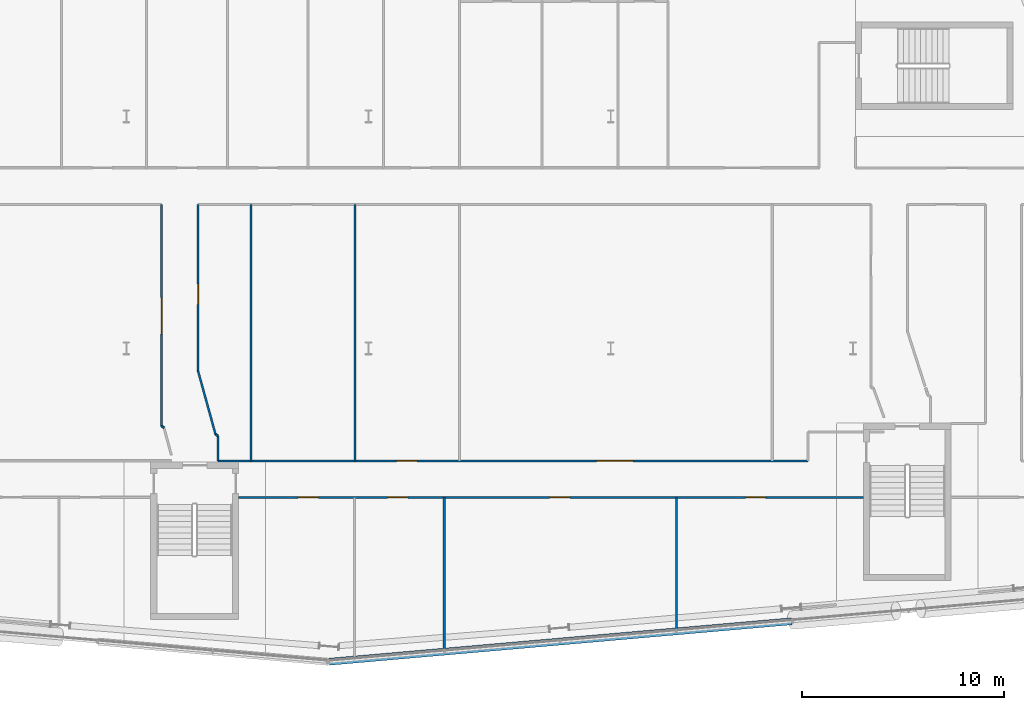
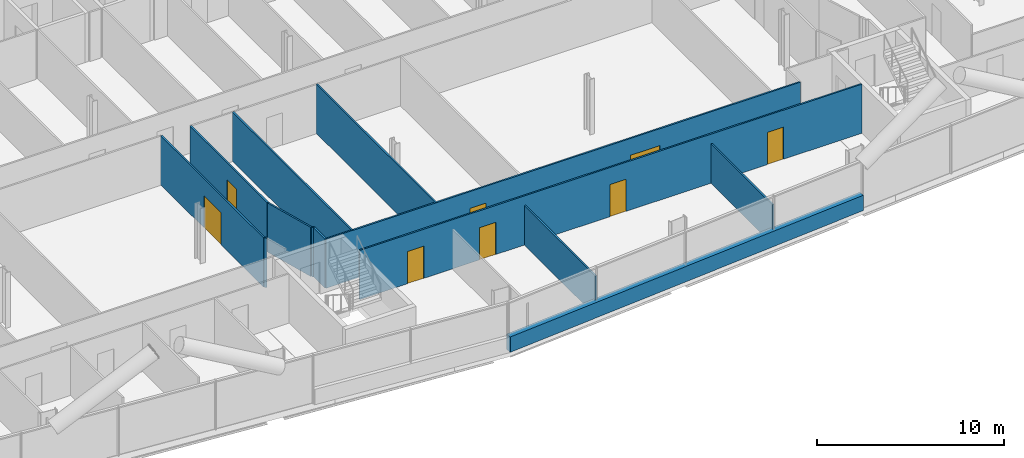
# One storey, part 15 of 28: 13 walls, 8 doors, 8 openings.
"""IFC4 building model written with IfcOpenShell, lengths in metres."""

import ifcopenshell
import ifcopenshell.guid

model = None  # the IFC model being written
_history = None  # IfcOwnerHistory: only IFC2X3 demands one
_inside = {}  # id of a spatial element -> (the spatial element, [elements in it])
_under = {}  # id of a project, library or spatial element -> (it, [spatial elements below it])
_declared = {}  # id of a project -> (the project, [libraries it declares])
_typed = {}  # id of a type object -> (the type object, [elements of that type])
_made_of = {}  # id of a material, layer set ... -> (it, [elements and type objects made of it])


def new_model(schema):
    """Start an empty IFC model of exactly this schema.

    Asked for "IFC4X3", IfcOpenShell would pick the latest addendum, in which some entities
    have other attributes; the version numbers below select the first issue.
    IFC2X3 requires an IfcOwnerHistory on every rooted entity: one is made here for all.
    """
    global model, _history
    if schema == "IFC4X3":
        model = ifcopenshell.file(schema_version=(4, 3, 0, 0))
    else:
        model = ifcopenshell.file(schema=schema)
    _inside.clear()
    _under.clear()
    _declared.clear()
    _typed.clear()
    _made_of.clear()
    _history = None
    if model.schema == "IFC2X3":
        org = make("IfcOrganization", Name="unknown")
        user = make(
            "IfcPersonAndOrganization",
            ThePerson=make("IfcPerson", FamilyName="unknown"),
            TheOrganization=org,
        )
        app = make(
            "IfcApplication",
            ApplicationDeveloper=org,
            Version="unknown",
            ApplicationFullName="unknown",
            ApplicationIdentifier="unknown",
        )
        _history = make(
            "IfcOwnerHistory",
            OwningUser=user,
            OwningApplication=app,
            ChangeAction="ADDED",
            CreationDate=0,
        )
    return model


def make(cls, **values):
    """One entity of the class cls with the attributes given. An attribute that is None is left unset."""
    return model.create_entity(
        cls, **{name: value for name, value in values.items() if value is not None}
    )


def rooted(cls, **values):
    """An entity with a GlobalId (a new one), such as an element, a storey or a relation."""
    return make(cls, GlobalId=ifcopenshell.guid.new(), OwnerHistory=_history, **values)


def si_unit(unit_type, name, prefix=None):
    """IfcSIUnit, for example si_unit("LENGTHUNIT", "METRE", prefix="MILLI")."""
    return make("IfcSIUnit", UnitType=unit_type, Prefix=prefix, Name=name)


def assignment(units):
    """IfcUnitAssignment: the units of a project."""
    return None if units is None else make("IfcUnitAssignment", Units=units)


def point(xyz):
    """IfcCartesianPoint."""
    return None if xyz is None else make("IfcCartesianPoint", Coordinates=xyz)


def direction(xyz):
    """IfcDirection."""
    return None if xyz is None else make("IfcDirection", DirectionRatios=xyz)


def frame(location, z_axis=None, x_axis=None):
    """IfcAxis2Placement3D, a coordinate frame: its origin and axes. An axis left out is left unset."""
    return make(
        "IfcAxis2Placement3D",
        Location=point(location),
        Axis=direction(z_axis),
        RefDirection=direction(x_axis),
    )


def frame_2d(location, x_axis=None):
    """IfcAxis2Placement2D, a coordinate frame in the plane: its origin and x axis."""
    return make(
        "IfcAxis2Placement2D", Location=point(location), RefDirection=direction(x_axis)
    )


def origin():
    """The frame at (0, 0, 0) with its axes left unset."""
    return frame((0.0, 0.0, 0.0))


def place(relative_to, where):
    """IfcLocalPlacement: puts the frame where relative to a parent placement (None: the world)."""
    return make(
        "IfcLocalPlacement", PlacementRelTo=relative_to, RelativePlacement=where
    )


def context(
    kind, dimensions, precision=None, world=None, true_north=None, identifier=None
):
    """IfcGeometricRepresentationContext, for example the 3D "Model" context."""
    return make(
        "IfcGeometricRepresentationContext",
        ContextIdentifier=identifier,
        ContextType=kind,
        CoordinateSpaceDimension=dimensions,
        Precision=precision,
        WorldCoordinateSystem=world,
        TrueNorth=true_north,
    )


def subcontext(parent, identifier, kind, view, scale=None):
    """IfcGeometricRepresentationSubContext, for example "Body" below "Model"."""
    return make(
        "IfcGeometricRepresentationSubContext",
        ContextIdentifier=identifier,
        ContextType=kind,
        ParentContext=parent,
        TargetScale=scale,
        TargetView=view,
    )


def project(units=None, contexts=None):
    """IfcProject with its units and contexts."""
    return rooted(
        "IfcProject",
        Name="project",
        RepresentationContexts=contexts,
        UnitsInContext=assignment(units),
    )


def spatial(cls, under=None, at=None, **own):
    """A site, building, storey or space (cls), placed at a placement, below another one or the project."""
    s = rooted(cls, ObjectPlacement=at, **own)
    if under is not None:
        _under.setdefault(under.id(), (under, []))[1].append(s)
    return s


def profile(cls, at=None, kind="AREA", **sizes):
    """A parametric profile (cls). Its sizes go by their IFC names, for example OverallWidth=200.0."""
    return make(cls, ProfileType=kind, Position=at, **sizes)


def rectangle(**sizes):
    """IfcRectangleProfileDef."""
    return profile("IfcRectangleProfileDef", **sizes)


def extrude(swept, where, along, depth):
    """IfcExtrudedAreaSolid: the profile swept, set in the frame where, extruded along a direction by depth."""
    return make(
        "IfcExtrudedAreaSolid",
        SweptArea=swept,
        Position=where,
        ExtrudedDirection=direction(along),
        Depth=depth,
    )


def shape(context_of_items, identifier, shape_type, items):
    """IfcShapeRepresentation: the items that make up one representation, for example the "Body"."""
    return make(
        "IfcShapeRepresentation",
        ContextOfItems=context_of_items,
        RepresentationIdentifier=identifier,
        RepresentationType=shape_type,
        Items=items,
    )


def material(Name=None, Category=None):
    """IfcMaterial."""
    return make("IfcMaterial", Name=Name, Category=Category)


def layer(
    of_material, thickness, ventilated=None, Name=None, Category=None, Priority=None
):
    """IfcMaterialLayer: one layer of a wall or slab, of a material (None: an air gap)."""
    return make(
        "IfcMaterialLayer",
        Material=of_material,
        LayerThickness=thickness,
        IsVentilated=ventilated,
        Name=Name,
        Category=Category,
        Priority=Priority,
    )


def layer_set(layers, Name=None):
    """IfcMaterialLayerSet."""
    return make("IfcMaterialLayerSet", MaterialLayers=layers, LayerSetName=Name)


def made_of(thing, what):
    """Note that an element or type object is made of a material, layer set ...; save() writes the relation."""
    if what is not None:
        _made_of.setdefault(what.id(), (what, []))[1].append(thing)
    return thing


def type_object(cls, material=None, **own):
    """A type object (cls), such as IfcWallType, which elements share."""
    return made_of(rooted(cls, **own), material)


def element(
    cls,
    number,
    at=None,
    inside=None,
    cuts=None,
    type_object=None,
    material=None,
    context=None,
    identifier="Body",
    shape_type=None,
    held_by="IfcProductDefinitionShape",
    body=None,
    shapes=None,
    **own,
):
    """One element of the class cls, such as IfcWall. Its Tag is "e" and its number.

    at: its placement. inside: the storey or other place that contains it. cuts: it is an
    opening in that element (IfcRelVoidsElement). A single representation is given by context,
    identifier, shape_type and body (its items); several are given by shapes. held_by: the class
    of the entity that holds the representations. save() writes the other relations.
    """
    e = rooted(cls, Tag="e%d" % number, ObjectPlacement=at, **own)
    if body is not None:
        shapes = [shape(context, identifier, shape_type, body)]
    if shapes is not None:
        e.Representation = make(held_by, Representations=shapes)
    if inside is not None:
        _inside.setdefault(inside.id(), (inside, []))[1].append(e)
    if cuts is not None:
        rooted(
            "IfcRelVoidsElement", RelatingBuildingElement=cuts, RelatedOpeningElement=e
        )
    if type_object is not None:
        _typed.setdefault(type_object.id(), (type_object, []))[1].append(e)
    return made_of(e, material)


def fill(opening, filler):
    """IfcRelFillsElement: the door or window that sits in an opening."""
    return rooted(
        "IfcRelFillsElement",
        RelatingOpeningElement=opening,
        RelatedBuildingElement=filler,
    )


def aggregate(whole, parts):
    """IfcRelAggregates: a whole, such as a stair, and the parts it consists of."""
    return rooted("IfcRelAggregates", RelatingObject=whole, RelatedObjects=parts)


def save(model, path):
    """Write the relations noted so far, then the file.

    IfcRelAggregates (storeys below a building ...), IfcRelContainedInSpatialStructure (elements
    in a storey), IfcRelDefinesByType, IfcRelAssociatesMaterial and IfcRelDeclares: one each for
    every whole, place, type object, material and project.
    """
    for whole, parts in _under.values():
        aggregate(whole, parts)
    for where, things in _inside.values():
        rooted(
            "IfcRelContainedInSpatialStructure",
            RelatedElements=things,
            RelatingStructure=where,
        )
    for kind, things in _typed.values():
        rooted("IfcRelDefinesByType", RelatedObjects=things, RelatingType=kind)
    for what, things in _made_of.values():
        rooted("IfcRelAssociatesMaterial", RelatedObjects=things, RelatingMaterial=what)
    for by, libraries in _declared.values():
        rooted("IfcRelDeclares", RelatingContext=by, RelatedDefinitions=libraries)
    model.write(path)


model = new_model("IFC4")

# Units and contexts
model_context = context("Model", 3, precision=1e-05, world=origin(), true_north=direction((0.0, 1.0)))
body_context = subcontext(model_context, "Body", "Model", "MODEL_VIEW")
ifc_project = project(units=[si_unit("LENGTHUNIT", "METRE"), si_unit("AREAUNIT", "SQUARE_METRE"), si_unit("VOLUMEUNIT", "CUBIC_METRE"), si_unit("PLANEANGLEUNIT", "RADIAN"), si_unit("MASSUNIT", "GRAM", prefix="KILO")], contexts=[model_context])

# Site, building, storey
site_placement = place(None, origin())
site = spatial("IfcSite", under=ifc_project, at=site_placement, CompositionType="ELEMENT")
building_placement = place(site_placement, origin())
building = spatial("IfcBuilding", under=site, at=building_placement, Name="Wharfspan Tower", CompositionType="ELEMENT")
storey_placement = place(building_placement, frame((0.0, 0.0, 52.300049)))
storey = spatial("IfcBuildingStorey", under=building, at=storey_placement, Name="L09", CompositionType="ELEMENT", Elevation=52.300049)

# Wall, opening, door
ifc_material_1 = material(Name="Gypsum board on steel studs", Category="steel")
ifc_layer_1 = layer(ifc_material_1, 0.100098)
ifc_layer_set_1 = layer_set([ifc_layer_1], Name="Gypsum board on steel studs")
wall_type_1 = type_object("IfcWallType", Name="Compartment wall 100 EI 60", PredefinedType="PARTITIONING", material=ifc_layer_set_1)
wall_1_placement = place(storey_placement, frame((37.745117, 7.659912, 0.0), z_axis=(0.0, 0.0, 1.0), x_axis=(0.0, 1.0, 0.0)))
wall_1 = element("IfcWall", 1, at=wall_1_placement, inside=storey, type_object=wall_type_1, Name="Partition L09.w034", PredefinedType="PARTITIONING", context=body_context, shape_type="SweptSolid", body=[
    extrude(rectangle(XDim=10.97998, YDim=0.100098, at=frame_2d((5.48999, 0.0))), origin(), (0.0, 0.0, 1.0), 3.199951),
])
opening_1_placement = place(wall_1_placement, frame((4.554932, 0.0, 0.0)))
opening_1 = element("IfcOpeningElement", 2, at=opening_1_placement, cuts=wall_1, Name="Opening A2-18", PredefinedType="OPENING", context=body_context, shape_type="SweptSolid", body=[
    extrude(rectangle(XDim=1.800049, YDim=2.100098, at=frame_2d((0.899902, 1.050049))), frame((0.0, 0.060059, 0.0), z_axis=(0.0, -1.0, 0.0), x_axis=(1.0, 0.0, 0.0)), (0.0, 0.0, 1.0), 0.120117),
])
ifc_material_2 = material(Name="Fire-rated timber door leaf in steel frame", Category="steel")
door_type_1 = type_object("IfcDoorType", Name="Door 1800 FD30S Double", OperationType="DOUBLE_DOOR_SINGLE_SWING", PredefinedType="DOOR", material=ifc_material_2)
door_1_placement = place(opening_1_placement, origin())
door_1 = element("IfcDoor", 3, at=door_1_placement, inside=storey, type_object=door_type_1, Name="Door A2-18", OperationType="DOUBLE_DOOR_SINGLE_SWING", OverallHeight=2.100098, OverallWidth=1.800049, PredefinedType="DOOR", context=body_context, shape_type="SweptSolid", body=[
    extrude(rectangle(XDim=1.800049, YDim=2.100098, at=frame_2d((0.899902, 1.050049))), frame((0.0, 0.024902, 0.0), z_axis=(0.0, -1.0, 0.0), x_axis=(1.0, 0.0, 0.0)), (0.0, 0.0, 1.0), 0.050049),
])
fill(opening_1, door_1)

# Wall
wall_2_placement = place(storey_placement, frame((37.86499, 7.570068, 0.0), z_axis=(0.0, 0.0, 1.0), x_axis=(-0.800198, 0.599741, 0.0)))
element("IfcWall", 4, at=wall_2_placement, inside=storey, type_object=wall_type_1, Name="Partition L09.w035", PredefinedType="PARTITIONING", context=body_context, shape_type="SweptSolid", body=[
    extrude(rectangle(XDim=0.149902, YDim=0.100098, at=frame_2d((0.074951, 0.0))), origin(), (0.0, 0.0, 1.0), 3.199951),
])

# Wall, opening, door
wall_3_placement = place(storey_placement, frame((39.550049, 10.389893, 0.0), z_axis=(0.0, 0.0, 1.0), x_axis=(0.0, 1.0, 0.0)))
wall_3 = element("IfcWall", 5, at=wall_3_placement, inside=storey, type_object=wall_type_1, Name="Partition L09.w037", PredefinedType="PARTITIONING", context=body_context, shape_type="SweptSolid", body=[
    extrude(rectangle(XDim=8.25, YDim=0.100098, at=frame_2d((4.125, 0.0))), origin(), (0.0, 0.0, 1.0), 3.199951),
])
opening_2_placement = place(wall_3_placement, frame((3.292969, 0.0, 0.0)))
opening_2 = element("IfcOpeningElement", 6, at=opening_2_placement, cuts=wall_3, Name="Opening A2-19", PredefinedType="OPENING", context=body_context, shape_type="SweptSolid", body=[
    extrude(rectangle(XDim=1.0, YDim=2.100098, at=frame_2d((0.5, 1.050049))), frame((0.0, 0.060059, 0.0), z_axis=(0.0, -1.0, 0.0), x_axis=(1.0, 0.0, 0.0)), (0.0, 0.0, 1.0), 0.120117),
])
door_type_2 = type_object("IfcDoorType", Name="Door 1000 FD30S Left", OperationType="SINGLE_SWING_LEFT", PredefinedType="DOOR", material=ifc_material_2)
door_2_placement = place(opening_2_placement, origin())
door_2 = element("IfcDoor", 7, at=door_2_placement, inside=storey, type_object=door_type_2, Name="Door A2-19", OperationType="SINGLE_SWING_LEFT", OverallHeight=2.100098, OverallWidth=1.0, PredefinedType="DOOR", context=body_context, shape_type="SweptSolid", body=[
    extrude(rectangle(XDim=1.0, YDim=2.100098, at=frame_2d((0.5, 1.050049))), frame((0.0, 0.024902, 0.0), z_axis=(0.0, -1.0, 0.0), x_axis=(1.0, 0.0, 0.0)), (0.0, 0.0, 1.0), 0.050049),
])
fill(opening_2, door_2)

# Walls
wall_4_placement = place(storey_placement, frame((40.415039, 7.25, 0.0), z_axis=(0.0, 0.0, 1.0), x_axis=(-0.26559, 0.964085, 0.0)))
element("IfcWall", 8, at=wall_4_placement, inside=storey, type_object=wall_type_1, Name="Partition L09.w039", PredefinedType="PARTITIONING", context=body_context, shape_type="SweptSolid", body=[
    extrude(rectangle(XDim=3.256836, YDim=0.100098, at=frame_2d((1.628418, 0.0))), origin(), (0.0, 0.0, 1.0), 3.199951),
])
wall_5_placement = place(storey_placement, frame((40.534912, 5.925049, 0.0), z_axis=(0.0, 0.0, 1.0), x_axis=(0.0, 1.0, 0.0)))
element("IfcWall", 9, at=wall_5_placement, inside=storey, type_object=wall_type_1, Name="Partition L09.w040", PredefinedType="PARTITIONING", context=body_context, shape_type="SweptSolid", body=[
    extrude(rectangle(XDim=1.234863, YDim=0.100098, at=frame_2d((0.617432, 0.0))), origin(), (0.0, 0.0, 1.0), 3.199951),
])

# Wall, openings, doors
wall_6_placement = place(storey_placement, frame((40.534912, 5.925049, 0.0), z_axis=(0.0, 0.0, 1.0), x_axis=(1.0, 0.0, 0.0)))
wall_6 = element("IfcWall", 10, at=wall_6_placement, inside=storey, type_object=wall_type_1, Name="Partition L09.w041", PredefinedType="PARTITIONING", context=body_context, shape_type="SweptSolid", body=[
    extrude(rectangle(XDim=29.22998, YDim=0.100098, at=frame_2d((14.61499, 0.0))), origin(), (0.0, 0.0, 1.0), 3.199951),
])
opening_3_placement = place(wall_6_placement, frame((8.860107, 0.0, 0.0)))
opening_3 = element("IfcOpeningElement", 11, at=opening_3_placement, cuts=wall_6, Name="Opening A2-15", PredefinedType="OPENING", context=body_context, shape_type="SweptSolid", body=[
    extrude(rectangle(XDim=1.0, YDim=2.100098, at=frame_2d((0.5, 1.050049))), frame((0.0, 0.060059, 0.0), z_axis=(0.0, -1.0, 0.0), x_axis=(1.0, 0.0, 0.0)), (0.0, 0.0, 1.0), 0.120117),
])
opening_4_placement = place(wall_6_placement, frame((18.764893, 0.0, 0.0)))
opening_4 = element("IfcOpeningElement", 12, at=opening_4_placement, cuts=wall_6, Name="Opening A2-16", PredefinedType="OPENING", context=body_context, shape_type="SweptSolid", body=[
    extrude(rectangle(XDim=1.800049, YDim=2.100098, at=frame_2d((0.899902, 1.050049))), frame((0.0, 0.060059, 0.0), z_axis=(0.0, -1.0, 0.0), x_axis=(1.0, 0.0, 0.0)), (0.0, 0.0, 1.0), 0.120117),
])
door_3_placement = place(opening_3_placement, origin())
door_3 = element("IfcDoor", 13, at=door_3_placement, inside=storey, type_object=door_type_2, Name="Door A2-15", OperationType="SINGLE_SWING_LEFT", OverallHeight=2.100098, OverallWidth=1.0, PredefinedType="DOOR", context=body_context, shape_type="SweptSolid", body=[
    extrude(rectangle(XDim=1.0, YDim=2.100098, at=frame_2d((0.5, 1.050049))), frame((0.0, 0.024902, 0.0), z_axis=(0.0, -1.0, 0.0), x_axis=(1.0, 0.0, 0.0)), (0.0, 0.0, 1.0), 0.050049),
])
fill(opening_3, door_3)
door_4_placement = place(opening_4_placement, origin())
door_4 = element("IfcDoor", 14, at=door_4_placement, inside=storey, type_object=door_type_1, Name="Door A2-16", OperationType="DOUBLE_DOOR_SINGLE_SWING", OverallHeight=2.100098, OverallWidth=1.800049, PredefinedType="DOOR", context=body_context, shape_type="SweptSolid", body=[
    extrude(rectangle(XDim=1.800049, YDim=2.100098, at=frame_2d((0.899902, 1.050049))), frame((0.0, 0.024902, 0.0), z_axis=(0.0, -1.0, 0.0), x_axis=(1.0, 0.0, 0.0)), (0.0, 0.0, 1.0), 0.050049),
])
fill(opening_4, door_4)

# Wall
wall_7_placement = place(storey_placement, frame((40.534912, 7.159912, 0.0), z_axis=(0.0, 0.0, 1.0), x_axis=(-0.799412, 0.60078, 0.0)))
element("IfcWall", 15, at=wall_7_placement, inside=storey, type_object=wall_type_1, Name="Partition L09.w042", PredefinedType="PARTITIONING", context=body_context, shape_type="SweptSolid", body=[
    extrude(rectangle(XDim=0.149902, YDim=0.100098, at=frame_2d((0.074951, 0.0))), origin(), (0.0, 0.0, 1.0), 3.199951),
])

# Wall, openings, doors
wall_8_placement = place(storey_placement, frame((41.55835, 4.120117, 0.0), z_axis=(0.0, 0.0, 1.0), x_axis=(1.0, 0.0, 0.0)))
wall_8 = element("IfcWall", 16, at=wall_8_placement, inside=storey, type_object=wall_type_1, Name="Partition L09.w044", PredefinedType="PARTITIONING", context=body_context, shape_type="SweptSolid", body=[
    extrude(rectangle(XDim=30.959229, YDim=0.100098, at=frame_2d((15.479492, 0.0))), origin(), (0.0, 0.0, 1.0), 3.199951),
])
opening_5_placement = place(wall_8_placement, frame((2.95166, 0.0, 0.0)))
opening_5 = element("IfcOpeningElement", 17, at=opening_5_placement, cuts=wall_8, Name="Opening A2-07", PredefinedType="OPENING", context=body_context, shape_type="SweptSolid", body=[
    extrude(rectangle(XDim=1.0, YDim=2.100098, at=frame_2d((0.5, 1.050049))), frame((0.0, 0.060059, 0.0), z_axis=(0.0, -1.0, 0.0), x_axis=(1.0, 0.0, 0.0)), (0.0, 0.0, 1.0), 0.120117),
])
opening_6_placement = place(wall_8_placement, frame((7.386719, 0.0, 0.0)))
opening_6 = element("IfcOpeningElement", 18, at=opening_6_placement, cuts=wall_8, Name="Opening A2-08", PredefinedType="OPENING", context=body_context, shape_type="SweptSolid", body=[
    extrude(rectangle(XDim=1.0, YDim=2.100098, at=frame_2d((0.5, 1.050049))), frame((0.0, 0.060059, 0.0), z_axis=(0.0, -1.0, 0.0), x_axis=(1.0, 0.0, 0.0)), (0.0, 0.0, 1.0), 0.120117),
])
opening_7_placement = place(wall_8_placement, frame((15.416748, 0.0, 0.0)))
opening_7 = element("IfcOpeningElement", 19, at=opening_7_placement, cuts=wall_8, Name="Opening A2-09", PredefinedType="OPENING", context=body_context, shape_type="SweptSolid", body=[
    extrude(rectangle(XDim=1.0, YDim=2.100098, at=frame_2d((0.5, 1.050049))), frame((0.0, 0.060059, 0.0), z_axis=(0.0, -1.0, 0.0), x_axis=(1.0, 0.0, 0.0)), (0.0, 0.0, 1.0), 0.120117),
])
opening_8_placement = place(wall_8_placement, frame((25.116699, 0.0, 0.0)))
opening_8 = element("IfcOpeningElement", 20, at=opening_8_placement, cuts=wall_8, Name="Opening A2-10", PredefinedType="OPENING", context=body_context, shape_type="SweptSolid", body=[
    extrude(rectangle(XDim=1.0, YDim=2.100098, at=frame_2d((0.5, 1.050049))), frame((0.0, 0.060059, 0.0), z_axis=(0.0, -1.0, 0.0), x_axis=(1.0, 0.0, 0.0)), (0.0, 0.0, 1.0), 0.120117),
])
door_5_placement = place(opening_5_placement, origin())
door_5 = element("IfcDoor", 21, at=door_5_placement, inside=storey, type_object=door_type_2, Name="Door A2-07", OperationType="SINGLE_SWING_LEFT", OverallHeight=2.100098, OverallWidth=1.0, PredefinedType="DOOR", context=body_context, shape_type="SweptSolid", body=[
    extrude(rectangle(XDim=1.0, YDim=2.100098, at=frame_2d((0.5, 1.050049))), frame((0.0, 0.024902, 0.0), z_axis=(0.0, -1.0, 0.0), x_axis=(1.0, 0.0, 0.0)), (0.0, 0.0, 1.0), 0.050049),
])
fill(opening_5, door_5)
door_6_placement = place(opening_6_placement, origin())
door_6 = element("IfcDoor", 22, at=door_6_placement, inside=storey, type_object=door_type_2, Name="Door A2-08", OperationType="SINGLE_SWING_LEFT", OverallHeight=2.100098, OverallWidth=1.0, PredefinedType="DOOR", context=body_context, shape_type="SweptSolid", body=[
    extrude(rectangle(XDim=1.0, YDim=2.100098, at=frame_2d((0.5, 1.050049))), frame((0.0, 0.024902, 0.0), z_axis=(0.0, -1.0, 0.0), x_axis=(1.0, 0.0, 0.0)), (0.0, 0.0, 1.0), 0.050049),
])
fill(opening_6, door_6)
door_type_3 = type_object("IfcDoorType", Name="Door 1000 FD30S Right", OperationType="SINGLE_SWING_RIGHT", PredefinedType="DOOR", material=ifc_material_2)
door_7_placement = place(opening_7_placement, origin())
door_7 = element("IfcDoor", 23, at=door_7_placement, inside=storey, type_object=door_type_3, Name="Door A2-09", OperationType="SINGLE_SWING_RIGHT", OverallHeight=2.100098, OverallWidth=1.0, PredefinedType="DOOR", context=body_context, shape_type="SweptSolid", body=[
    extrude(rectangle(XDim=1.0, YDim=2.100098, at=frame_2d((0.5, 1.050049))), frame((0.0, 0.024902, 0.0), z_axis=(0.0, -1.0, 0.0), x_axis=(1.0, 0.0, 0.0)), (0.0, 0.0, 1.0), 0.050049),
])
fill(opening_7, door_7)
door_8_placement = place(opening_8_placement, origin())
door_8 = element("IfcDoor", 24, at=door_8_placement, inside=storey, type_object=door_type_3, Name="Door A2-10", OperationType="SINGLE_SWING_RIGHT", OverallHeight=2.100098, OverallWidth=1.0, PredefinedType="DOOR", context=body_context, shape_type="SweptSolid", body=[
    extrude(rectangle(XDim=1.0, YDim=2.100098, at=frame_2d((0.5, 1.050049))), frame((0.0, 0.024902, 0.0), z_axis=(0.0, -1.0, 0.0), x_axis=(1.0, 0.0, 0.0)), (0.0, 0.0, 1.0), 0.050049),
])
fill(opening_8, door_8)

# Walls
for number, where, z_axis, x_axis, name in (
    (25, (42.165039, 5.925049, 0.0), (0.0, 0.0, 1.0), (0.0, 1.0, 0.0), "Partition L09.w045"),
    (26, (47.334961, 5.925049, 0.0), (0.0, 0.0, 1.0), (0.0, 1.0, 0.0), "Partition L09.w048"),
):
    element("IfcWall", number, at=place(storey_placement, frame(where, z_axis=z_axis, x_axis=x_axis)), inside=storey, type_object=wall_type_1, Name=name, PredefinedType="PARTITIONING", context=body_context, shape_type="SweptSolid", body=[
        extrude(rectangle(XDim=12.714844, YDim=0.100098, at=frame_2d((6.357422, 0.0))), origin(), (0.0, 0.0, 1.0), 3.199951),
    ])
wall_9_placement = place(storey_placement, frame((51.75, -3.501221, 0.0), z_axis=(0.0, 0.0, 1.0), x_axis=(0.0, 1.0, 0.0)))
element("IfcWall", 27, at=wall_9_placement, inside=storey, type_object=wall_type_1, Name="Partition L09.w050", PredefinedType="PARTITIONING", context=body_context, shape_type="SweptSolid", body=[
    extrude(rectangle(XDim=7.621338, YDim=0.100098, at=frame_2d((3.810547, 0.0))), origin(), (0.0, 0.0, 1.0), 2.579834),
])
wall_10_placement = place(storey_placement, frame((63.25, -2.495117, 0.0), z_axis=(0.0, 0.0, 1.0), x_axis=(0.0, 1.0, 0.0)))
element("IfcWall", 28, at=wall_10_placement, inside=storey, type_object=wall_type_1, Name="Partition L09.w057", PredefinedType="PARTITIONING", context=body_context, shape_type="SweptSolid", body=[
    extrude(rectangle(XDim=6.615234, YDim=0.100098, at=frame_2d((3.307617, 0.0))), origin(), (0.0, 0.0, 1.0), 2.579834),
])
ifc_material_3 = material(Name="Concrete C40/50", Category="concrete")
ifc_layer_2 = layer(ifc_material_3, 0.350098)
ifc_layer_set_2 = layer_set([ifc_layer_2], Name="Concrete C40/50")
wall_type_2 = type_object("IfcWallType", Name="SPANDREL EXPOSED CONCRETE 350", PredefinedType="SOLIDWALL", material=ifc_layer_set_2)
wall_11_placement = place(storey_placement, frame((46.04541, -4.025635, 0.0), z_axis=(0.0, 0.0, 1.0), x_axis=(0.99619, 0.087163, 0.0)))
element("IfcWall", 29, at=wall_11_placement, inside=storey, type_object=wall_type_2, Name="Spandrel upstand L09 S2 1", PredefinedType="SOLIDWALL", context=body_context, shape_type="SweptSolid", body=[
    extrude(rectangle(XDim=23.012695, YDim=0.350098, at=frame_2d((11.506348, 0.0))), origin(), (0.0, 0.0, 1.0), 1.0),
])

save(model, "model.ifc")
